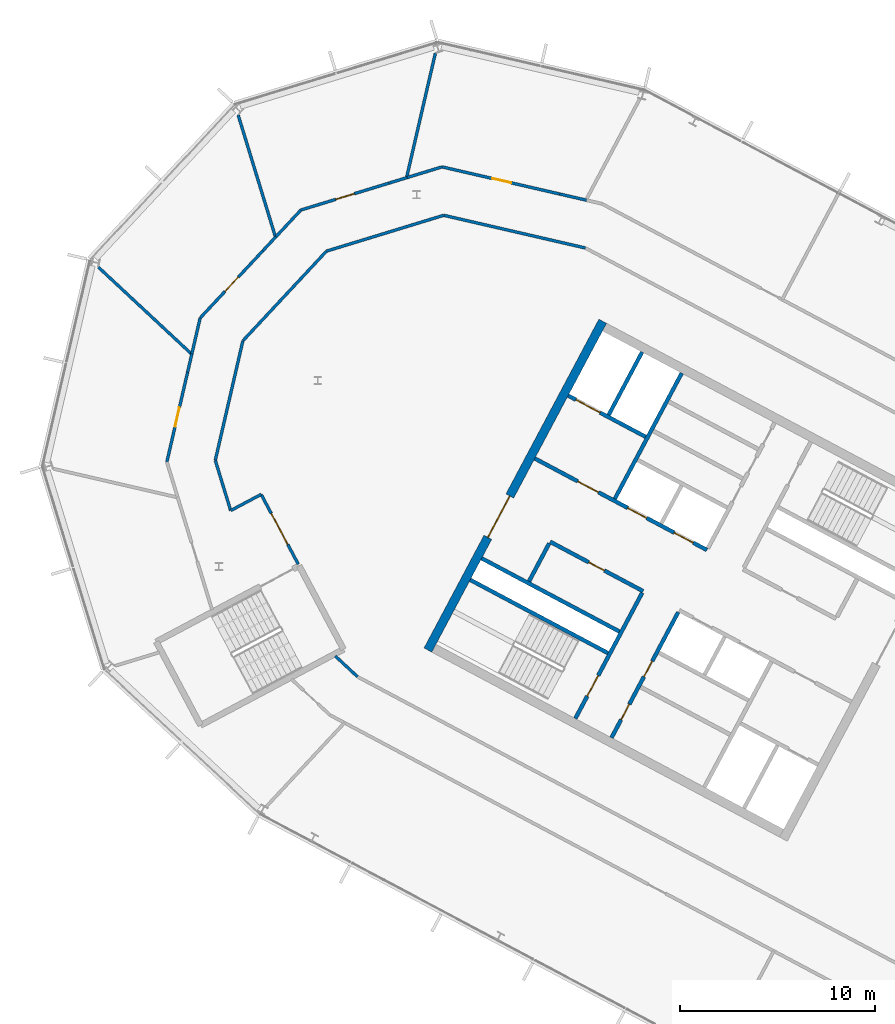
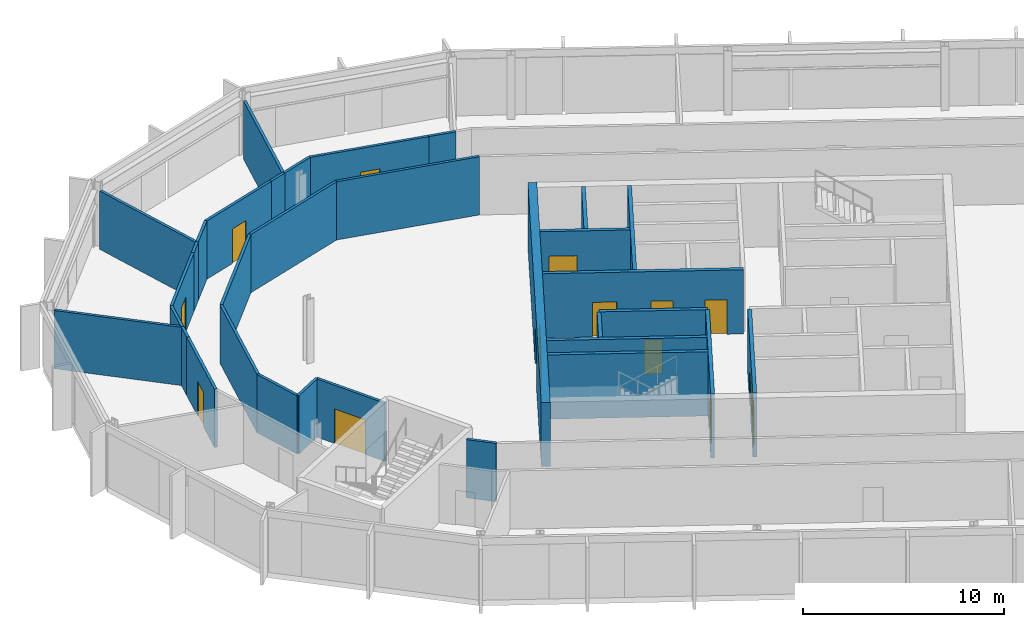
# One storey, part 14 of 26: 33 walls, 14 doors, 14 openings.
"""IFC4 building model written with IfcOpenShell, lengths in metres."""

from ifc_helpers import new_model, si_unit, direction, frame, frame_2d, origin, place, context, subcontext, project, spatial, rectangle, extrude, material, layer, layer_set, type_object, element, fill, save


model = new_model("IFC4")

# Units and contexts
model_context = context("Model", 3, precision=1e-05, world=origin(), true_north=direction((0.0, 1.0)))
body_context = subcontext(model_context, "Body", "Model", "MODEL_VIEW")
ifc_project = project(units=[si_unit("LENGTHUNIT", "METRE"), si_unit("AREAUNIT", "SQUARE_METRE"), si_unit("VOLUMEUNIT", "CUBIC_METRE"), si_unit("PLANEANGLEUNIT", "RADIAN"), si_unit("MASSUNIT", "GRAM", prefix="KILO")], contexts=[model_context])

# Site, building, storey
site_placement = place(None, origin())
site = spatial("IfcSite", under=ifc_project, at=site_placement, CompositionType="ELEMENT")
building_placement = place(site_placement, origin())
building = spatial("IfcBuilding", under=site, at=building_placement, Name="Cormorant Relay Tower", CompositionType="ELEMENT")
storey_placement = place(building_placement, frame((0.0, 0.0, 293.10009765625)))
storey = spatial("IfcBuildingStorey", under=building, at=storey_placement, Name="L66", CompositionType="ELEMENT", Elevation=293.10009765625)

# Wall, openings, doors
ifc_material_1 = material(Name="Concrete 50 MPa", Category="concrete")
ifc_layer_1 = layer(ifc_material_1, 0.199951171875)
ifc_layer_set_1 = layer_set([ifc_layer_1], Name="Core shaft wall 200")
wall_type_1 = type_object("IfcWallType", Name="Core shaft wall 200", PredefinedType="SHEAR", material=ifc_layer_set_1)
wall_1_placement = place(storey_placement, frame((-28.128173828125, 12.91748046875, 0.0), z_axis=(0.0, 0.0, 1.0), x_axis=(-0.469454336211, -0.882956752176, 0.0)))
wall_1 = element("IfcWall", 1, at=wall_1_placement, inside=storey, type_object=wall_type_1, Name="L66 core A shaft wall", PredefinedType="SHEAR", context=body_context, shape_type="SweptSolid", body=[
    extrude(rectangle(XDim=7.300048828125, YDim=0.199951171875, at=frame_2d((3.64990234375, 0.0))), origin(), (0.0, 0.0, 1.0), 3.89990234375),
])
opening_1_placement = place(wall_1_placement, frame((2.85009765625, 0.0, 0.0)))
opening_1 = element("IfcOpeningElement", 2, at=opening_1_placement, cuts=wall_1, Name="Opening CDD-289", PredefinedType="OPENING", context=body_context, shape_type="SweptSolid", body=[
    extrude(rectangle(XDim=0.89990234375, YDim=2.10009765625, at=frame_2d((0.449951171875, 1.050048828125))), frame((0.0, 0.10986328125, 0.0), z_axis=(0.0, -1.0, 0.0), x_axis=(1.0, 0.0, 0.0)), (0.0, 0.0, 1.0), 0.219970703125),
])
opening_2_placement = place(wall_1_placement, frame((5.35009765625, 0.0, 0.0)))
opening_2 = element("IfcOpeningElement", 3, at=opening_2_placement, cuts=wall_1, Name="Opening CDD-328", PredefinedType="OPENING", context=body_context, shape_type="SweptSolid", body=[
    extrude(rectangle(XDim=0.89990234375, YDim=2.10009765625, at=frame_2d((0.449951171875, 1.050048828125))), frame((0.0, 0.10986328125, 0.0), z_axis=(0.0, -1.0, 0.0), x_axis=(1.0, 0.0, 0.0)), (0.0, 0.0, 1.0), 0.219970703125),
])
ifc_material_2 = material(Name="Steel fire door", Category="steel")
door_type_1 = type_object("IfcDoorType", Name="Core room door 900x2100", OperationType="SINGLE_SWING_LEFT", PredefinedType="DOOR", material=ifc_material_2)
door_1_placement = place(opening_1_placement, origin())
door_1 = element("IfcDoor", 4, at=door_1_placement, inside=storey, type_object=door_type_1, Name="Core room door 900x2100", OperationType="SINGLE_SWING_LEFT", OverallHeight=2.10009765625, OverallWidth=0.89990234375, PredefinedType="DOOR", context=body_context, shape_type="SweptSolid", body=[
    extrude(rectangle(XDim=0.89990234375, YDim=2.10009765625, at=frame_2d((0.449951171875, 1.050048828125))), frame((0.0, 0.02490234375, 0.0), z_axis=(0.0, -1.0, 0.0), x_axis=(1.0, 0.0, 0.0)), (0.0, 0.0, 1.0), 0.050048828125),
])
fill(opening_1, door_1)
door_2_placement = place(opening_2_placement, origin())
door_2 = element("IfcDoor", 5, at=door_2_placement, inside=storey, type_object=door_type_1, Name="Core room door 900x2100", OperationType="SINGLE_SWING_LEFT", OverallHeight=2.10009765625, OverallWidth=0.89990234375, PredefinedType="DOOR", context=body_context, shape_type="SweptSolid", body=[
    extrude(rectangle(XDim=0.89990234375, YDim=2.10009765625, at=frame_2d((0.449951171875, 1.050048828125))), frame((0.0, 0.02490234375, 0.0), z_axis=(0.0, -1.0, 0.0), x_axis=(1.0, 0.0, 0.0)), (0.0, 0.0, 1.0), 0.050048828125),
])
fill(opening_2, door_2)

# Wall, opening, door
wall_2_placement = place(storey_placement, frame((-29.982421875, 13.9033203125, 0.0), z_axis=(0.0, 0.0, 1.0), x_axis=(-0.469454336211, -0.882956752176, 0.0)))
wall_2 = element("IfcWall", 6, at=wall_2_placement, inside=storey, type_object=wall_type_1, Name="L66 core A shaft wall", PredefinedType="SHEAR", context=body_context, shape_type="SweptSolid", body=[
    extrude(rectangle(XDim=7.300048828125, YDim=0.199951171875, at=frame_2d((3.64990234375, 0.0))), origin(), (0.0, 0.0, 1.0), 3.89990234375),
])
opening_3_placement = place(wall_2_placement, frame((4.800048828125, 0.0, 0.0)))
opening_3 = element("IfcOpeningElement", 7, at=opening_3_placement, cuts=wall_2, Name="Opening CDB-039", PredefinedType="OPENING", context=body_context, shape_type="SweptSolid", body=[
    extrude(rectangle(XDim=1.199951171875, YDim=2.10009765625, at=frame_2d((0.60009765625, 1.050048828125))), frame((0.0, 0.10986328125, 0.0), z_axis=(0.0, -1.0, 0.0), x_axis=(1.0, 0.0, 0.0)), (0.0, 0.0, 1.0), 0.219970703125),
])
ifc_material_3 = material(Name="Steel fire door", Category="steel")
door_type_2 = type_object("IfcDoorType", Name="Core stair door 1200x2100", OperationType="SINGLE_SWING_LEFT", PredefinedType="DOOR", material=ifc_material_3)
door_3_placement = place(opening_3_placement, frame((1.199951171875, 0.0, 0.0), z_axis=(0.0, 0.0, 1.0), x_axis=(-1.0, 0.0, 0.0)))
door_3 = element("IfcDoor", 8, at=door_3_placement, inside=storey, type_object=door_type_2, Name="Core stair door 1200x2100", OperationType="SINGLE_SWING_RIGHT", OverallHeight=2.10009765625, OverallWidth=1.199951171875, PredefinedType="DOOR", context=body_context, shape_type="SweptSolid", body=[
    extrude(rectangle(XDim=1.199951171875, YDim=2.10009765625, at=frame_2d((0.60009765625, 1.050048828125))), frame((0.0, 0.02490234375, 0.0), z_axis=(0.0, -1.0, 0.0), x_axis=(1.0, 0.0, 0.0)), (0.0, 0.0, 1.0), 0.050048828125),
])
fill(opening_3, door_3)

# Walls
wall_3_placement = place(storey_placement, frame((-27.955322265625, 25.170654296875, 0.0), z_axis=(0.0, 0.0, 1.0), x_axis=(-0.469480409012, -0.88294288918, 0.0)))
element("IfcWall", 9, at=wall_3_placement, inside=storey, type_object=wall_type_1, Name="L66 core A shaft wall", PredefinedType="SHEAR", context=body_context, shape_type="SweptSolid", body=[
    extrude(rectangle(XDim=7.300048828125, YDim=0.199951171875, at=frame_2d((3.64990234375, 0.0))), origin(), (0.0, 0.0, 1.0), 3.89990234375),
])
wall_4_placement = place(storey_placement, frame((-34.750244140625, 16.4384765625, 0.0), z_axis=(0.0, 0.0, 1.0), x_axis=(-0.469401318492, -0.882984938828, 0.0)))
element("IfcWall", 10, at=wall_4_placement, inside=storey, type_object=wall_type_1, Name="L66 core A shaft wall", PredefinedType="SHEAR", context=body_context, shape_type="SweptSolid", body=[
    extrude(rectangle(XDim=2.199951171875, YDim=0.199951171875, at=frame_2d((1.10009765625, 0.0))), origin(), (0.0, 0.0, 1.0), 3.89990234375),
])
wall_5_placement = place(storey_placement, frame((-29.986083984375, 26.250244140625, 0.0), z_axis=(0.0, 0.0, 1.0), x_axis=(-0.469494272526, -0.882935517501, 0.0)))
element("IfcWall", 11, at=wall_5_placement, inside=storey, type_object=wall_type_1, Name="L66 core A shaft wall", PredefinedType="SHEAR", context=body_context, shape_type="SweptSolid", body=[
    extrude(rectangle(XDim=3.64990234375, YDim=0.199951171875, at=frame_2d((1.824951171875, 0.0))), origin(), (0.0, 0.0, 1.0), 3.89990234375),
])

# Wall, opening, door
wall_6_placement = place(storey_placement, frame((-29.80419921875, 21.906494140625, 0.0), z_axis=(0.0, 0.0, 1.0), x_axis=(-0.882960433586, 0.469447412093, 0.0)))
wall_6 = element("IfcWall", 12, at=wall_6_placement, inside=storey, type_object=wall_type_1, Name="L66 core A shaft wall", PredefinedType="SHEAR", context=body_context, shape_type="SweptSolid", body=[
    extrude(rectangle(XDim=4.5, YDim=0.199951171875, at=frame_2d((2.25, 0.0))), origin(), (0.0, 0.0, 1.0), 3.89990234375),
])
opening_4_placement = place(wall_6_placement, frame((2.64990234375, 0.0, 0.0)))
opening_4 = element("IfcOpeningElement", 13, at=opening_4_placement, cuts=wall_6, Name="Opening LD3-015", PredefinedType="OPENING", context=body_context, shape_type="SweptSolid", body=[
    extrude(rectangle(XDim=1.39990234375, YDim=2.39990234375, at=frame_2d((0.699951171875, 1.199951171875))), frame((0.0, 0.10986328125, 0.0), z_axis=(0.0, -1.0, 0.0), x_axis=(1.0, 0.0, 0.0)), (0.0, 0.0, 1.0), 0.219970703125),
])
ifc_material_4 = material(Name="Stainless steel 316", Category="steel")
door_type_3 = type_object("IfcDoorType", Name="Lift landing door 1400x2400", OperationType="DOUBLE_DOOR_SLIDING", PredefinedType="DOOR", material=ifc_material_4)
door_4_placement = place(opening_4_placement, origin())
door_4 = element("IfcDoor", 14, at=door_4_placement, inside=storey, type_object=door_type_3, Name="SV1 landing door", OperationType="DOUBLE_DOOR_SLIDING", OverallHeight=2.39990234375, OverallWidth=1.39990234375, PredefinedType="DOOR", context=body_context, shape_type="SweptSolid", body=[
    extrude(rectangle(XDim=1.39990234375, YDim=2.39990234375, at=frame_2d((0.699951171875, 1.199951171875))), frame((0.0, 0.02490234375, 0.0), z_axis=(0.0, -1.0, 0.0), x_axis=(1.0, 0.0, 0.0)), (0.0, 0.0, 1.0), 0.050048828125),
])
fill(opening_4, door_4)

# Wall, openings, doors
wall_7_placement = place(storey_placement, frame((-26.66162109375, 16.1015625, 0.0), z_axis=(0.0, 0.0, 1.0), x_axis=(-0.882940221191, 0.469485426614, 0.0)))
wall_7 = element("IfcWall", 15, at=wall_7_placement, inside=storey, type_object=wall_type_1, Name="L66 core A shaft wall", PredefinedType="SHEAR", context=body_context, shape_type="SweptSolid", body=[
    extrude(rectangle(XDim=10.0, YDim=0.199951171875, at=frame_2d((5.0, 0.0))), origin(), (0.0, 0.0, 1.0), 3.89990234375),
])
opening_5_placement = place(wall_7_placement, frame((6.300048828125, 0.0, 0.0)))
opening_5 = element("IfcOpeningElement", 16, at=opening_5_placement, cuts=wall_7, Name="Opening CDC-034", PredefinedType="OPENING", context=body_context, shape_type="SweptSolid", body=[
    extrude(rectangle(XDim=1.199951171875, YDim=2.10009765625, at=frame_2d((0.60009765625, 1.050048828125))), frame((0.0, 0.10986328125, 0.0), z_axis=(0.0, -1.0, 0.0), x_axis=(1.0, 0.0, 0.0)), (0.0, 0.0, 1.0), 0.219970703125),
])
opening_6_placement = place(wall_7_placement, frame((0.800048828125, 0.0, 0.0)))
opening_6 = element("IfcOpeningElement", 17, at=opening_6_placement, cuts=wall_7, Name="Opening LD1-067", PredefinedType="OPENING", context=body_context, shape_type="SweptSolid", body=[
    extrude(rectangle(XDim=1.10009765625, YDim=2.10009765625, at=frame_2d((0.550048828125, 1.050048828125))), frame((0.0, 0.10986328125, 0.0), z_axis=(0.0, -1.0, 0.0), x_axis=(1.0, 0.0, 0.0)), (0.0, 0.0, 1.0), 0.219970703125),
])
opening_7_placement = place(wall_7_placement, frame((3.5, 0.0, 0.0)))
opening_7 = element("IfcOpeningElement", 18, at=opening_7_placement, cuts=wall_7, Name="Opening LD1-068", PredefinedType="OPENING", context=body_context, shape_type="SweptSolid", body=[
    extrude(rectangle(XDim=1.10009765625, YDim=2.10009765625, at=frame_2d((0.550048828125, 1.050048828125))), frame((0.0, 0.10986328125, 0.0), z_axis=(0.0, -1.0, 0.0), x_axis=(1.0, 0.0, 0.0)), (0.0, 0.0, 1.0), 0.219970703125),
])
ifc_material_5 = material(Name="Steel fire door", Category="steel")
door_type_4 = type_object("IfcDoorType", Name="Core lobby door 1200x2100", OperationType="SINGLE_SWING_LEFT", PredefinedType="DOOR", material=ifc_material_5)
door_5_placement = place(opening_5_placement, origin())
door_5 = element("IfcDoor", 19, at=door_5_placement, inside=storey, type_object=door_type_4, Name="Core lobby door 1200x2100", OperationType="SINGLE_SWING_LEFT", OverallHeight=2.10009765625, OverallWidth=1.199951171875, PredefinedType="DOOR", context=body_context, shape_type="SweptSolid", body=[
    extrude(rectangle(XDim=1.199951171875, YDim=2.10009765625, at=frame_2d((0.60009765625, 1.050048828125))), frame((0.0, 0.02490234375, 0.0), z_axis=(0.0, -1.0, 0.0), x_axis=(1.0, 0.0, 0.0)), (0.0, 0.0, 1.0), 0.050048828125),
])
fill(opening_5, door_5)
ifc_material_6 = material(Name="Stainless steel 316", Category="steel")
door_type_5 = type_object("IfcDoorType", Name="Lift landing door 1100x2100", OperationType="DOUBLE_DOOR_SLIDING", PredefinedType="DOOR", material=ifc_material_6)
door_6_placement = place(opening_6_placement, origin())
door_6 = element("IfcDoor", 20, at=door_6_placement, inside=storey, type_object=door_type_5, Name="HR3 landing door", OperationType="DOUBLE_DOOR_SLIDING", OverallHeight=2.10009765625, OverallWidth=1.10009765625, PredefinedType="DOOR", context=body_context, shape_type="SweptSolid", body=[
    extrude(rectangle(XDim=1.10009765625, YDim=2.10009765625, at=frame_2d((0.550048828125, 1.050048828125))), frame((0.0, 0.02490234375, 0.0), z_axis=(0.0, -1.0, 0.0), x_axis=(1.0, 0.0, 0.0)), (0.0, 0.0, 1.0), 0.050048828125),
])
fill(opening_6, door_6)
door_7_placement = place(opening_7_placement, origin())
door_7 = element("IfcDoor", 21, at=door_7_placement, inside=storey, type_object=door_type_5, Name="HR4 landing door", OperationType="DOUBLE_DOOR_SLIDING", OverallHeight=2.10009765625, OverallWidth=1.10009765625, PredefinedType="DOOR", context=body_context, shape_type="SweptSolid", body=[
    extrude(rectangle(XDim=1.10009765625, YDim=2.10009765625, at=frame_2d((0.550048828125, 1.050048828125))), frame((0.0, 0.02490234375, 0.0), z_axis=(0.0, -1.0, 0.0), x_axis=(1.0, 0.0, 0.0)), (0.0, 0.0, 1.0), 0.050048828125),
])
fill(opening_7, door_7)

# Wall, opening, door
wall_8_placement = place(storey_placement, frame((-29.935302734375, 13.991455078125, 0.0), z_axis=(0.0, 0.0, 1.0), x_axis=(-0.882952937579, 0.469461510692, 0.0)))
wall_8 = element("IfcWall", 22, at=wall_8_placement, inside=storey, type_object=wall_type_1, Name="L66 core A shaft wall", PredefinedType="SHEAR", context=body_context, shape_type="SweptSolid", body=[
    extrude(rectangle(XDim=5.400146484375, YDim=0.199951171875, at=frame_2d((2.7001953125, 0.0))), origin(), (0.0, 0.0, 1.0), 3.89990234375),
])
opening_8_placement = place(wall_8_placement, frame((2.25, 0.0, 0.0)))
opening_8 = element("IfcOpeningElement", 23, at=opening_8_placement, cuts=wall_8, Name="Opening CDD-318", PredefinedType="OPENING", context=body_context, shape_type="SweptSolid", body=[
    extrude(rectangle(XDim=0.89990234375, YDim=2.10009765625, at=frame_2d((0.449951171875, 1.050048828125))), frame((0.0, 0.10986328125, 0.0), z_axis=(0.0, -1.0, 0.0), x_axis=(1.0, 0.0, 0.0)), (0.0, 0.0, 1.0), 0.219970703125),
])
door_8_placement = place(opening_8_placement, origin())
door_8 = element("IfcDoor", 24, at=door_8_placement, inside=storey, type_object=door_type_1, Name="Core room door 900x2100", OperationType="SINGLE_SWING_LEFT", OverallHeight=2.10009765625, OverallWidth=0.89990234375, PredefinedType="DOOR", context=body_context, shape_type="SweptSolid", body=[
    extrude(rectangle(XDim=0.89990234375, YDim=2.10009765625, at=frame_2d((0.449951171875, 1.050048828125))), frame((0.0, 0.02490234375, 0.0), z_axis=(0.0, -1.0, 0.0), x_axis=(1.0, 0.0, 0.0)), (0.0, 0.0, 1.0), 0.050048828125),
])
fill(opening_8, door_8)

# Walls
for number, where, z_axis, x_axis, name in (
    (25, (-31.150390625, 11.91943359375, 0.0), (0.0, 0.0, 1.0), (-0.882940221191, 0.469485426614, 0.0), "L66 core A shaft wall"),
    (26, (-31.7373046875, 10.815673828125, 0.0), (0.0, 0.0, 1.0), (-0.882940221191, 0.469485426614, 0.0), "L66 core A shaft wall"),
):
    element("IfcWall", number, at=place(storey_placement, frame(where, z_axis=z_axis, x_axis=x_axis)), inside=storey, type_object=wall_type_1, Name=name, PredefinedType="SHEAR", context=body_context, shape_type="SweptSolid", body=[
        extrude(rectangle(XDim=8.0, YDim=0.199951171875, at=frame_2d((4.0, 0.0))), origin(), (0.0, 0.0, 1.0), 3.89990234375),
    ])

# Wall, opening, door
ifc_material_7 = material(Name="Concrete 50 MPa", Category="concrete")
ifc_layer_2 = layer(ifc_material_7, 0.449951171875)
ifc_layer_set_2 = layer_set([ifc_layer_2], Name="Core wall 450")
wall_type_2 = type_object("IfcWallType", Name="Core wall 450", PredefinedType="SHEAR", material=ifc_layer_set_2)
wall_9_placement = place(storey_placement, frame((-32.00439453125, 27.8330078125, 0.0), z_axis=(0.0, 0.0, 1.0), x_axis=(-0.469467968382, -0.882949504028, 0.0)))
wall_9 = element("IfcWall", 27, at=wall_9_placement, inside=storey, type_object=wall_type_2, Name="L66 core A wall", PredefinedType="SHEAR", context=body_context, shape_type="SweptSolid", body=[
    extrude(rectangle(XDim=19.099853515625, YDim=0.449951171875, at=frame_2d((9.5498046875, 0.0))), origin(), (0.0, 0.0, 1.0), 3.89990234375),
])
opening_9_placement = place(wall_9_placement, frame((10.14990234375, 0.0, 0.0)))
opening_9 = element("IfcOpeningElement", 28, at=opening_9_placement, cuts=wall_9, Name="Opening CDA-051", PredefinedType="OPENING", context=body_context, shape_type="SweptSolid", body=[
    extrude(rectangle(XDim=2.39990234375, YDim=2.39990234375, at=frame_2d((1.199951171875, 1.199951171875))), frame((0.0, 0.23486328125, 0.0), z_axis=(0.0, -1.0, 0.0), x_axis=(1.0, 0.0, 0.0)), (0.0, 0.0, 1.0), 0.469970703125),
])
ifc_material_8 = material(Name="Steel fire door", Category="steel")
door_type_6 = type_object("IfcDoorType", Name="Core lobby door 2400x2400", OperationType="DOUBLE_DOOR_SINGLE_SWING", PredefinedType="DOOR", material=ifc_material_8)
door_9_placement = place(opening_9_placement, origin())
door_9 = element("IfcDoor", 29, at=door_9_placement, inside=storey, type_object=door_type_6, Name="Core lobby door 2400x2400", OperationType="DOUBLE_DOOR_SINGLE_SWING", OverallHeight=2.39990234375, OverallWidth=2.39990234375, PredefinedType="DOOR", context=body_context, shape_type="SweptSolid", body=[
    extrude(rectangle(XDim=2.39990234375, YDim=2.39990234375, at=frame_2d((1.199951171875, 1.199951171875))), frame((0.0, 0.02490234375, 0.0), z_axis=(0.0, -1.0, 0.0), x_axis=(1.0, 0.0, 0.0)), (0.0, 0.0, 1.0), 0.050048828125),
])
fill(opening_9, door_9)

ifc_material_9 = material(Name="Gypsum board fire partition")
ifc_layer_3 = layer(ifc_material_9, 0.14990234375)
ifc_layer_set_3 = layer_set([ifc_layer_3], Name="Corridor partition 150 EI 60")
wall_type_3 = type_object("IfcWallType", Name="Corridor partition 150 EI 60", PredefinedType="PARTITIONING", material=ifc_layer_set_3)
wall_10_placement = place(storey_placement, frame((-53.294921875, 25.215087890625, 0.0), z_axis=(0.0, 0.0, 1.0), x_axis=(-0.224995495587, -0.974359803648, 0.0)))
wall_10 = element("IfcWall", 30, at=wall_10_placement, inside=storey, type_object=wall_type_3, Name="wall/L66/part/004", PredefinedType="PARTITIONING", context=body_context, shape_type="SweptSolid", body=[
    extrude(rectangle(XDim=4.72021484375, YDim=0.14990234375, at=frame_2d((2.360107421875, 0.0))), origin(), (0.0, 0.0, 1.0), 3.539794921875),
])
opening_10_placement = place(wall_10_placement, frame((1.85009765625, 0.0, 0.0)))
opening_10 = element("IfcOpeningElement", 31, at=opening_10_placement, cuts=wall_10, Name="Opening DS-226", PredefinedType="OPENING", context=body_context, shape_type="SweptSolid", body=[
    extrude(rectangle(XDim=1.0, YDim=2.10009765625, at=frame_2d((0.5, 1.050048828125))), frame((0.0, 0.0849609375, 0.0), z_axis=(0.0, -1.0, 0.0), x_axis=(1.0, 0.0, 0.0)), (0.0, 0.0, 1.0), 0.169921875),
])
ifc_material_10 = material(Name="Timber door leaf", Category="wood")
door_type_7 = type_object("IfcDoorType", Name="Suite door 1000x2100", OperationType="SINGLE_SWING_LEFT", PredefinedType="DOOR", material=ifc_material_10)
door_10_placement = place(opening_10_placement, frame((1.0, 0.0, 0.0), z_axis=(0.0, 0.0, 1.0), x_axis=(-1.0, 0.0, 0.0)))
door_10 = element("IfcDoor", 32, at=door_10_placement, inside=storey, type_object=door_type_7, Name="door/L66/011", OperationType="SINGLE_SWING_RIGHT", OverallHeight=2.10009765625, OverallWidth=1.0, PredefinedType="DOOR", context=body_context, shape_type="SweptSolid", body=[
    extrude(rectangle(XDim=1.0, YDim=2.10009765625, at=frame_2d((0.5, 1.050048828125))), frame((0.0, 0.02490234375, 0.0), z_axis=(0.0, -1.0, 0.0), x_axis=(1.0, 0.0, 0.0)), (0.0, 0.0, 1.0), 0.050048828125),
])
fill(opening_10, door_10)

# Wall
wall_11_placement = place(storey_placement, frame((-53.294921875, 25.215087890625, 0.0), z_axis=(0.0, 0.0, 1.0), x_axis=(0.225370986266, 0.974273020539, 0.0)))
element("IfcWall", 33, at=wall_11_placement, inside=storey, type_object=wall_type_3, Name="wall/L66/part/007", PredefinedType="PARTITIONING", context=body_context, shape_type="SweptSolid", body=[
    extrude(rectangle(XDim=0.97607421875, YDim=0.14990234375, at=frame_2d((0.488037109375, 0.0))), origin(), (0.0, 0.0, 1.0), 3.539794921875),
])

# Wall, opening, door
wall_12_placement = place(storey_placement, frame((-49.43310546875, 31.448974609375, 0.0), z_axis=(0.0, 0.0, 1.0), x_axis=(-0.682010505986, -0.731342375173, 0.0)))
wall_12 = element("IfcWall", 34, at=wall_12_placement, inside=storey, type_object=wall_type_3, Name="wall/L66/part/008", PredefinedType="PARTITIONING", context=body_context, shape_type="SweptSolid", body=[
    extrude(rectangle(XDim=4.72119140625, YDim=0.14990234375, at=frame_2d((2.360595703125, 0.0))), origin(), (0.0, 0.0, 1.0), 3.539794921875),
])
opening_11_placement = place(wall_12_placement, frame((1.85009765625, 0.0, 0.0)))
opening_11 = element("IfcOpeningElement", 35, at=opening_11_placement, cuts=wall_12, Name="Opening DS-225", PredefinedType="OPENING", context=body_context, shape_type="SweptSolid", body=[
    extrude(rectangle(XDim=1.0, YDim=2.10009765625, at=frame_2d((0.5, 1.050048828125))), frame((0.0, 0.0849609375, 0.0), z_axis=(0.0, -1.0, 0.0), x_axis=(1.0, 0.0, 0.0)), (0.0, 0.0, 1.0), 0.169921875),
])
door_11_placement = place(opening_11_placement, frame((1.0, 0.0, 0.0), z_axis=(0.0, 0.0, 1.0), x_axis=(-1.0, 0.0, 0.0)))
door_11 = element("IfcDoor", 36, at=door_11_placement, inside=storey, type_object=door_type_7, Name="door/L66/010", OperationType="SINGLE_SWING_RIGHT", OverallHeight=2.10009765625, OverallWidth=1.0, PredefinedType="DOOR", context=body_context, shape_type="SweptSolid", body=[
    extrude(rectangle(XDim=1.0, YDim=2.10009765625, at=frame_2d((0.5, 1.050048828125))), frame((0.0, 0.02490234375, 0.0), z_axis=(0.0, -1.0, 0.0), x_axis=(1.0, 0.0, 0.0)), (0.0, 0.0, 1.0), 0.050048828125),
])
fill(opening_11, door_11)

# Walls
wall_13_placement = place(storey_placement, frame((-52.653076171875, 27.99609375, 0.0), z_axis=(0.0, 0.0, 1.0), x_axis=(-0.224631643858, -0.974443751367, 0.0)))
element("IfcWall", 37, at=wall_13_placement, inside=storey, type_object=wall_type_3, Name="wall/L66/part/009", PredefinedType="PARTITIONING", context=body_context, shape_type="SweptSolid", body=[
    extrude(rectangle(XDim=1.878173828125, YDim=0.14990234375, at=frame_2d((0.93896484375, 0.0))), origin(), (0.0, 0.0, 1.0), 3.539794921875),
])
wall_14_placement = place(storey_placement, frame((-49.43310546875, 31.448974609375, 0.0), z_axis=(0.0, 0.0, 1.0), x_axis=(0.682014889945, 0.731338286905, 0.0)))
element("IfcWall", 38, at=wall_14_placement, inside=storey, type_object=wall_type_3, Name="wall/L66/part/011", PredefinedType="PARTITIONING", context=body_context, shape_type="SweptSolid", body=[
    extrude(rectangle(XDim=0.97509765625, YDim=0.14990234375, at=frame_2d((0.487548828125, 0.0))), origin(), (0.0, 0.0, 1.0), 3.539794921875),
])

# Wall, opening, door
wall_15_placement = place(storey_placement, frame((-42.971923828125, 34.916015625, 0.0), z_axis=(0.0, 0.0, 1.0), x_axis=(-0.956321861231, -0.292315750056, 0.0)))
wall_15 = element("IfcWall", 39, at=wall_15_placement, inside=storey, type_object=wall_type_3, Name="wall/L66/part/014", PredefinedType="PARTITIONING", context=body_context, shape_type="SweptSolid", body=[
    extrude(rectangle(XDim=4.721435546875, YDim=0.14990234375, at=frame_2d((2.36083984375, 0.0))), origin(), (0.0, 0.0, 1.0), 3.539794921875),
])
opening_12_placement = place(wall_15_placement, frame((1.85009765625, 0.0, 0.0)))
opening_12 = element("IfcOpeningElement", 40, at=opening_12_placement, cuts=wall_15, Name="Opening DS-224", PredefinedType="OPENING", context=body_context, shape_type="SweptSolid", body=[
    extrude(rectangle(XDim=1.0, YDim=2.10009765625, at=frame_2d((0.5, 1.050048828125))), frame((0.0, 0.0849609375, 0.0), z_axis=(0.0, -1.0, 0.0), x_axis=(1.0, 0.0, 0.0)), (0.0, 0.0, 1.0), 0.169921875),
])
door_12_placement = place(opening_12_placement, frame((1.0, 0.0, 0.0), z_axis=(0.0, 0.0, 1.0), x_axis=(-1.0, 0.0, 0.0)))
door_12 = element("IfcDoor", 41, at=door_12_placement, inside=storey, type_object=door_type_7, Name="door/L66/009", OperationType="SINGLE_SWING_RIGHT", OverallHeight=2.10009765625, OverallWidth=1.0, PredefinedType="DOOR", context=body_context, shape_type="SweptSolid", body=[
    extrude(rectangle(XDim=1.0, YDim=2.10009765625, at=frame_2d((0.5, 1.050048828125))), frame((0.0, 0.02490234375, 0.0), z_axis=(0.0, -1.0, 0.0), x_axis=(1.0, 0.0, 0.0)), (0.0, 0.0, 1.0), 0.050048828125),
])
fill(opening_12, door_12)

# Wall
wall_16_placement = place(storey_placement, frame((-47.487060546875, 33.535888671875, 0.0), z_axis=(0.0, 0.0, 1.0), x_axis=(-0.681980118274, -0.731370711936, 0.0)))
element("IfcWall", 42, at=wall_16_placement, inside=storey, type_object=wall_type_3, Name="wall/L66/part/015", PredefinedType="PARTITIONING", context=body_context, shape_type="SweptSolid", body=[
    extrude(rectangle(XDim=1.87841796875, YDim=0.14990234375, at=frame_2d((0.939208984375, 0.0))), origin(), (0.0, 0.0, 1.0), 3.539794921875),
])

# Wall, opening, door
wall_17_placement = place(storey_placement, frame((-47.62109375, 15.3779296875, 0.0), z_axis=(0.0, 0.0, 1.0), x_axis=(-0.469542997944, 0.882909606404, 0.0)))
wall_17 = element("IfcWall", 43, at=wall_17_placement, inside=storey, type_object=wall_type_3, Name="wall/L66/part/016", PredefinedType="PARTITIONING", context=body_context, shape_type="SweptSolid", body=[
    extrude(rectangle(XDim=4.050537109375, YDim=0.14990234375, at=frame_2d((2.025390625, 0.0))), origin(), (0.0, 0.0, 1.0), 3.539794921875),
])
opening_13_placement = place(wall_17_placement, frame((1.14990234375, 0.0, 0.0)))
opening_13 = element("IfcOpeningElement", 44, at=opening_13_placement, cuts=wall_17, Name="Opening DD-035", PredefinedType="OPENING", context=body_context, shape_type="SweptSolid", body=[
    extrude(rectangle(XDim=1.800048828125, YDim=2.10009765625, at=frame_2d((0.89990234375, 1.050048828125))), frame((0.0, 0.0849609375, 0.0), z_axis=(0.0, -1.0, 0.0), x_axis=(1.0, 0.0, 0.0)), (0.0, 0.0, 1.0), 0.169921875),
])
ifc_material_11 = material(Name="Timber door leaf", Category="wood")
door_type_8 = type_object("IfcDoorType", Name="Suite double door 1800x2100", OperationType="DOUBLE_DOOR_SINGLE_SWING", PredefinedType="DOOR", material=ifc_material_11)
door_13_placement = place(opening_13_placement, frame((1.800048828125, 0.0, 0.0), z_axis=(0.0, 0.0, 1.0), x_axis=(-1.0, 0.0, 0.0)))
door_13 = element("IfcDoor", 45, at=door_13_placement, inside=storey, type_object=door_type_8, Name="door/L66/001", OperationType="DOUBLE_DOOR_SINGLE_SWING", OverallHeight=2.10009765625, OverallWidth=1.800048828125, PredefinedType="DOOR", context=body_context, shape_type="SweptSolid", body=[
    extrude(rectangle(XDim=1.800048828125, YDim=2.10009765625, at=frame_2d((0.89990234375, 1.050048828125))), frame((0.0, 0.02490234375, 0.0), z_axis=(0.0, -1.0, 0.0), x_axis=(1.0, 0.0, 0.0)), (0.0, 0.0, 1.0), 0.050048828125),
])
fill(opening_13, door_13)

# Walls
wall_18_placement = place(storey_placement, frame((-49.52294921875, 18.9541015625, 0.0), z_axis=(0.0, 0.0, 1.0), x_axis=(-0.882826130341, -0.469699929303, 0.0)))
element("IfcWall", 46, at=wall_18_placement, inside=storey, type_object=wall_type_3, Name="wall/L66/part/017", PredefinedType="PARTITIONING", context=body_context, shape_type="SweptSolid", body=[
    extrude(rectangle(XDim=1.769287109375, YDim=0.14990234375, at=frame_2d((0.884765625, 0.0))), origin(), (0.0, 0.0, 1.0), 3.539794921875),
])
wall_19_placement = place(storey_placement, frame((-51.0849609375, 18.123046875, 0.0), z_axis=(0.0, 0.0, 1.0), x_axis=(-0.292584201044, 0.9562397635, 0.0)))
element("IfcWall", 47, at=wall_19_placement, inside=storey, type_object=wall_type_3, Name="wall/L66/part/018", PredefinedType="PARTITIONING", context=body_context, shape_type="SweptSolid", body=[
    extrude(rectangle(XDim=2.69677734375, YDim=0.14990234375, at=frame_2d((1.348388671875, 0.0))), origin(), (0.0, 0.0, 1.0), 3.539794921875),
])
wall_20_placement = place(storey_placement, frame((-51.8740234375, 20.701904296875, 0.0), z_axis=(0.0, 0.0, 1.0), x_axis=(0.224987079621, 0.974361746993, 0.0)))
element("IfcWall", 48, at=wall_20_placement, inside=storey, type_object=wall_type_3, Name="wall/L66/part/019", PredefinedType="PARTITIONING", context=body_context, shape_type="SweptSolid", body=[
    extrude(rectangle(XDim=6.289306640625, YDim=0.14990234375, at=frame_2d((3.14453125, 0.0))), origin(), (0.0, 0.0, 1.0), 3.539794921875),
])
wall_21_placement = place(storey_placement, frame((-50.458984375, 26.830078125, 0.0), z_axis=(0.0, 0.0, 1.0), x_axis=(0.68204431976, 0.731310840808, 0.0)))
element("IfcWall", 49, at=wall_21_placement, inside=storey, type_object=wall_type_3, Name="wall/L66/part/020", PredefinedType="PARTITIONING", context=body_context, shape_type="SweptSolid", body=[
    extrude(rectangle(XDim=6.28857421875, YDim=0.14990234375, at=frame_2d((3.144287109375, 0.0))), origin(), (0.0, 0.0, 1.0), 3.539794921875),
])
wall_22_placement = place(storey_placement, frame((-46.169921875, 31.428955078125, 0.0), z_axis=(0.0, 0.0, 1.0), x_axis=(0.956313885215, 0.292341842616, 0.0)))
element("IfcWall", 50, at=wall_22_placement, inside=storey, type_object=wall_type_3, Name="wall/L66/part/021", PredefinedType="PARTITIONING", context=body_context, shape_type="SweptSolid", body=[
    extrude(rectangle(XDim=6.28759765625, YDim=0.14990234375, at=frame_2d((3.143798828125, 0.0))), origin(), (0.0, 0.0, 1.0), 3.539794921875),
])
wall_23_placement = place(storey_placement, frame((-40.156982421875, 33.26708984375, 0.0), z_axis=(0.0, 0.0, 1.0), x_axis=(0.974363587665, -0.224979107993, 0.0)))
element("IfcWall", 51, at=wall_23_placement, inside=storey, type_object=wall_type_3, Name="wall/L66/part/022", PredefinedType="PARTITIONING", context=body_context, shape_type="SweptSolid", body=[
    extrude(rectangle(XDim=7.4541015625, YDim=0.14990234375, at=frame_2d((3.72705078125, 0.0))), origin(), (0.0, 0.0, 1.0), 3.539794921875),
])
wall_24_placement = place(storey_placement, frame((-44.583984375, 9.60498046875, 0.0), z_axis=(0.0, 0.0, 1.0), x_axis=(-0.731410317478, 0.681937641934, 0.0)))
element("IfcWall", 52, at=wall_24_placement, inside=storey, type_object=wall_type_3, Name="wall/L66/part/031", PredefinedType="PARTITIONING", context=body_context, shape_type="SweptSolid", body=[
    extrude(rectangle(XDim=1.554443359375, YDim=0.14990234375, at=frame_2d((0.77734375, 0.0))), origin(), (0.0, 0.0, 1.0), 3.539794921875),
])
wall_25_placement = place(storey_placement, frame((-42.971923828125, 34.916015625, 0.0), z_axis=(0.0, 0.0, 1.0), x_axis=(0.956388481043, 0.292097711954, 0.0)))
element("IfcWall", 53, at=wall_25_placement, inside=storey, type_object=wall_type_3, Name="wall/L66/part/036", PredefinedType="PARTITIONING", context=body_context, shape_type="SweptSolid", body=[
    extrude(rectangle(XDim=0.975341796875, YDim=0.14990234375, at=frame_2d((0.48779296875, 0.0))), origin(), (0.0, 0.0, 1.0), 3.539794921875),
])

# Wall, opening, door
wall_26_placement = place(storey_placement, frame((-34.2080078125, 34.35693359375, 0.0), z_axis=(0.0, 0.0, 1.0), x_axis=(-0.974377242452, 0.224919962192, 0.0)))
wall_26 = element("IfcWall", 54, at=wall_26_placement, inside=storey, type_object=wall_type_3, Name="wall/L66/part/038", PredefinedType="PARTITIONING", context=body_context, shape_type="SweptSolid", body=[
    extrude(rectangle(XDim=6.193603515625, YDim=0.14990234375, at=frame_2d((3.0966796875, 0.0))), origin(), (0.0, 0.0, 1.0), 3.539794921875),
])
opening_14_placement = place(wall_26_placement, frame((2.550048828125, 0.0, 0.0)))
opening_14 = element("IfcOpeningElement", 55, at=opening_14_placement, cuts=wall_26, Name="Opening DS-223", PredefinedType="OPENING", context=body_context, shape_type="SweptSolid", body=[
    extrude(rectangle(XDim=1.0, YDim=2.10009765625, at=frame_2d((0.5, 1.050048828125))), frame((0.0, 0.0849609375, 0.0), z_axis=(0.0, -1.0, 0.0), x_axis=(1.0, 0.0, 0.0)), (0.0, 0.0, 1.0), 0.169921875),
])
door_14_placement = place(opening_14_placement, frame((1.0, 0.0, 0.0), z_axis=(0.0, 0.0, 1.0), x_axis=(-1.0, 0.0, 0.0)))
door_14 = element("IfcDoor", 56, at=door_14_placement, inside=storey, type_object=door_type_7, Name="door/L66/008", OperationType="SINGLE_SWING_RIGHT", OverallHeight=2.10009765625, OverallWidth=1.0, PredefinedType="DOOR", context=body_context, shape_type="SweptSolid", body=[
    extrude(rectangle(XDim=1.0, YDim=2.10009765625, at=frame_2d((0.5, 1.050048828125))), frame((0.0, 0.02490234375, 0.0), z_axis=(0.0, -1.0, 0.0), x_axis=(1.0, 0.0, 0.0)), (0.0, 0.0, 1.0), 0.050048828125),
])
fill(opening_14, door_14)

# Walls
wall_27_placement = place(storey_placement, frame((-40.242919921875, 35.75, 0.0), z_axis=(0.0, 0.0, 1.0), x_axis=(-0.956314227535, -0.292340722812, 0.0)))
element("IfcWall", 57, at=wall_27_placement, inside=storey, type_object=wall_type_3, Name="wall/L66/part/039", PredefinedType="PARTITIONING", context=body_context, shape_type="SweptSolid", body=[
    extrude(rectangle(XDim=1.878173828125, YDim=0.14990234375, at=frame_2d((0.93896484375, 0.0))), origin(), (0.0, 0.0, 1.0), 3.539794921875),
])
wall_28_placement = place(storey_placement, frame((-34.2080078125, 34.35693359375, 0.0), z_axis=(0.0, 0.0, 1.0), x_axis=(0.974467175192, -0.224530007959, 0.0)))
element("IfcWall", 58, at=wall_28_placement, inside=storey, type_object=wall_type_3, Name="wall/L66/part/040", PredefinedType="PARTITIONING", context=body_context, shape_type="SweptSolid", body=[
    extrude(rectangle(XDim=1.406982421875, YDim=0.14990234375, at=frame_2d((0.70361328125, 0.0))), origin(), (0.0, 0.0, 1.0), 3.539794921875),
])
ifc_material_12 = material(Name="Gypsum board partition")
ifc_layer_4 = layer(ifc_material_12, 0.14990234375)
ifc_layer_set_4 = layer_set([ifc_layer_4], Name="Tenant partition 150")
wall_type_4 = type_object("IfcWallType", Name="Tenant partition 150", PredefinedType="PARTITIONING", material=ifc_layer_set_4)
wall_29_placement = place(storey_placement, frame((-57.8720703125, 30.60791015625, 0.0), z_axis=(0.0, 0.0, 1.0), x_axis=(0.731496401804, -0.681845300744, 0.0)))
element("IfcWall", 59, at=wall_29_placement, inside=storey, type_object=wall_type_4, Name="wall/L66/part/002", PredefinedType="PARTITIONING", context=body_context, shape_type="SweptSolid", body=[
    extrude(rectangle(XDim=6.549560546875, YDim=0.14990234375, at=frame_2d((3.27490234375, 0.0))), origin(), (0.0, 0.0, 1.0), 3.539794921875),
])
wall_30_placement = place(storey_placement, frame((-50.699951171875, 38.406005859375, 0.0), z_axis=(0.0, 0.0, 1.0), x_axis=(0.29245059414, -0.95628063349, 0.0)))
element("IfcWall", 60, at=wall_30_placement, inside=storey, type_object=wall_type_4, Name="wall/L66/part/010", PredefinedType="PARTITIONING", context=body_context, shape_type="SweptSolid", body=[
    extrude(rectangle(XDim=6.54833984375, YDim=0.14990234375, at=frame_2d((3.274169921875, 0.0))), origin(), (0.0, 0.0, 1.0), 3.539794921875),
])
wall_31_placement = place(storey_placement, frame((-40.590087890625, 41.574951171875, 0.0), z_axis=(0.0, 0.0, 1.0), x_axis=(-0.224916684579, -0.974377999032, 0.0)))
element("IfcWall", 61, at=wall_31_placement, inside=storey, type_object=wall_type_4, Name="wall/L66/part/037", PredefinedType="PARTITIONING", context=body_context, shape_type="SweptSolid", body=[
    extrude(rectangle(XDim=6.548583984375, YDim=0.14990234375, at=frame_2d((3.2744140625, 0.0))), origin(), (0.0, 0.0, 1.0), 3.539794921875),
])

save(model, "model.ifc")
